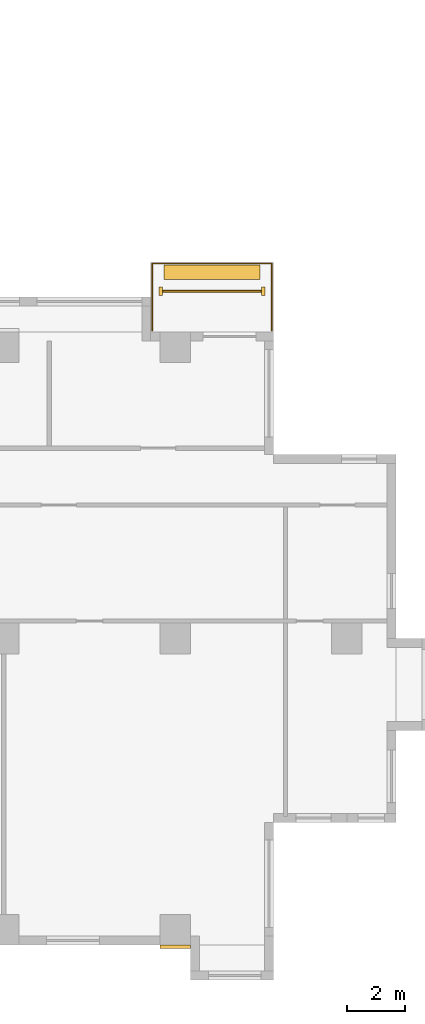
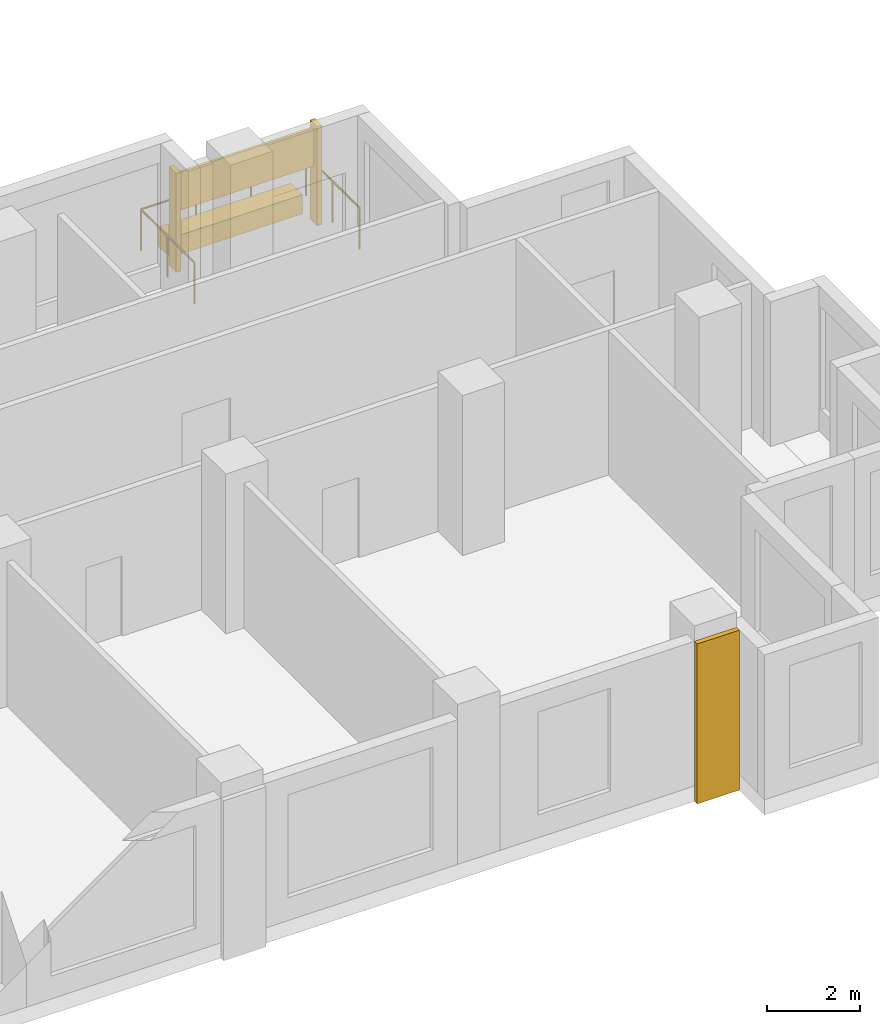
# One storey, part 14 of 14: 5 coverings, 1 railing.
"""IFC4 building model written with IfcOpenShell, lengths in metres."""

from ifc_helpers import new_model, si_unit, direction, frame, origin, origin_2d, place, context, subcontext, project, spatial, rectangle, circle, extrude, source, transform, mapped, material, type_object, element, save


model = new_model("IFC4")

# Units and contexts
model_context = context("Model", 3, precision=1e-05, world=origin(), true_north=direction((0.0, 1.0)))
body_context = subcontext(model_context, "Body", "Model", "MODEL_VIEW")
ifc_project = project(units=[si_unit("LENGTHUNIT", "METRE"), si_unit("AREAUNIT", "SQUARE_METRE"), si_unit("VOLUMEUNIT", "CUBIC_METRE"), si_unit("PLANEANGLEUNIT", "RADIAN"), si_unit("MASSUNIT", "GRAM", prefix="KILO")], contexts=[model_context])

# Site, building, storey
site_placement = place(None, origin())
site = spatial("IfcSite", under=ifc_project, at=site_placement, CompositionType="ELEMENT")
building_placement = place(site_placement, origin())
building = spatial("IfcBuilding", under=site, at=building_placement, Name="Aurelian Terraces", CompositionType="ELEMENT")
storey_placement = place(building_placement, frame((0.0, 0.0, 153.9)))
storey = spatial("IfcBuildingStorey", under=building, at=storey_placement, Name="L34", CompositionType="ELEMENT", Elevation=153.9)

# Coverings
ifc_material_1 = material(Name="Terracotta rainscreen cladding relief", Category="masonry")
covering_type_1 = type_object("IfcCoveringType", Name="FIN-TC", PredefinedType="CLADDING", material=ifc_material_1)
shared_shape_1 = source(origin(), body_context, "Body", "SweptSolid", [
    extrude(rectangle(XDim=0.12, YDim=0.3, at=origin_2d()), origin(), (0.0, 0.0, 1.0), 2.6),
])
for number, where, z_axis, x_axis, name in (
    (1, (66.85, 22.4, 0.0), (0.0, 0.0, 1.0), (1.0, 0.0, 0.0), "FIN L34 L34-F11-22.1"),
    (2, (63.35, 22.4, 0.0), (0.0, 0.0, 1.0), (1.0, 0.0, 0.0), "FIN L34 L34-F11-22.2"),
):
    element("IfcCovering", number, at=place(storey_placement, frame(where, z_axis=z_axis, x_axis=x_axis)), inside=storey, type_object=covering_type_1, Name=name, PredefinedType="CLADDING", context=body_context, shape_type="MappedRepresentation", body=[
        mapped(shared_shape_1, transform((0.0, 0.0, 0.0), scale=1.0)),
    ])

# Railing
ifc_material_2 = material(Name="Anodised aluminium", Category="aluminium")
railing_type = type_object("IfcRailingType", Name="GUARD-1100", PredefinedType="GUARDRAIL", material=ifc_material_2)
shared_shape_2 = source(origin(), body_context, "Body", "SweptSolid", [
    extrude(circle(Radius=0.024, at=origin_2d()), frame((0.0, 0.0, 1.076), z_axis=(0.0, 1.0, 0.0), x_axis=(-1.0, 0.0, 0.0)), (0.0, 0.0, 1.0), 2.3),
    extrude(circle(Radius=0.024, at=origin_2d()), frame((0.0, 2.3, 1.076), z_axis=(-1.0, 0.0, 0.0), x_axis=(0.0, -1.0, 0.0)), (0.0, 0.0, 1.0), 4.1),
    extrude(circle(Radius=0.024, at=origin_2d()), frame((-4.1, 2.3, 1.076), z_axis=(0.0, -1.0, 0.0), x_axis=(1.0, 0.0, 0.0)), (0.0, 0.0, 1.0), 2.3),
    extrude(circle(Radius=0.021, at=origin_2d()), origin(), (0.0, 0.0, 1.0), 1.052),
    extrude(circle(Radius=0.021, at=origin_2d()), frame((0.0, 1.15, 0.0)), (0.0, 0.0, 1.0), 1.052),
    extrude(circle(Radius=0.021, at=origin_2d()), frame((0.0, 2.3, 0.0)), (0.0, 0.0, 1.0), 1.052),
    extrude(circle(Radius=0.021, at=origin_2d()), frame((-1.3667, 2.3, 0.0)), (0.0, 0.0, 1.0), 1.052),
    extrude(circle(Radius=0.021, at=origin_2d()), frame((-2.7333, 2.3, 0.0)), (0.0, 0.0, 1.0), 1.052),
    extrude(circle(Radius=0.021, at=origin_2d()), frame((-4.1, 2.3, 0.0)), (0.0, 0.0, 1.0), 1.052),
    extrude(circle(Radius=0.021, at=origin_2d()), frame((-4.1, 1.15, 0.0)), (0.0, 0.0, 1.0), 1.052),
    extrude(circle(Radius=0.021, at=origin_2d()), frame((-4.1, 0.0, 0.0)), (0.0, 0.0, 1.0), 1.052),
])
railing_placement = place(storey_placement, frame((67.15, 21.05, 0.0)))
element("IfcRailing", 3, at=railing_placement, inside=storey, type_object=railing_type, Name="Balcony guard L34 F11.22", PredefinedType="GUARDRAIL", context=body_context, shape_type="MappedRepresentation", body=[
    mapped(shared_shape_2, transform((0.0, 0.0, 0.0), scale=1.0)),
])

# Coverings
ifc_material_3 = material(Name="Terracotta planter with planting soil", Category="masonry")
covering_type_2 = type_object("IfcCoveringType", Name="PLANTER-TROUGH", PredefinedType="USERDEFINED", material=ifc_material_3)
shared_shape_3 = source(origin(), body_context, "Body", "SweptSolid", [
    extrude(rectangle(XDim=3.3, YDim=0.5, at=origin_2d()), origin(), (0.0, 0.0, 1.0), 0.5),
])
covering_1_placement = place(storey_placement, frame((65.1, 23.05, 0.0), z_axis=(0.0, 0.0, 1.0), x_axis=(1.0, 0.0, 0.0)))
element("IfcCovering", 4, at=covering_1_placement, inside=storey, type_object=covering_type_2, Name="PLANTER L34 L34-F11-22", ObjectType="PLANTER", PredefinedType="USERDEFINED", context=body_context, shape_type="MappedRepresentation", body=[
    mapped(shared_shape_3, transform((0.0, 0.0, 0.0), scale=1.0)),
])
ifc_material_4 = material(Name="Terracotta rainscreen cladding", Category="masonry")
covering_type_3 = type_object("IfcCoveringType", Name="SCREEN-TC", PredefinedType="CLADDING", material=ifc_material_4)
shared_shape_4 = source(origin(), body_context, "Body", "SweptSolid", [
    extrude(rectangle(XDim=3.38, YDim=0.06, at=origin_2d()), origin(), (0.0, 0.0, 1.0), 1.0),
])
covering_2_placement = place(storey_placement, frame((65.1, 22.4, 1.5), z_axis=(0.0, 0.0, 1.0), x_axis=(1.0, 0.0, 0.0)))
element("IfcCovering", 5, at=covering_2_placement, inside=storey, type_object=covering_type_3, Name="SCREEN L34 L34-F11-22", PredefinedType="CLADDING", context=body_context, shape_type="MappedRepresentation", body=[
    mapped(shared_shape_4, transform((0.0, 0.0, 0.0), scale=1.0)),
])
covering_type_4 = type_object("IfcCoveringType", Name="BAGUETTE-TC", PredefinedType="CLADDING", material=ifc_material_1)
shared_shape_5 = source(origin(), body_context, "Body", "SweptSolid", [
    extrude(rectangle(XDim=1.05, YDim=0.12, at=origin_2d()), origin(), (0.0, 0.0, 1.0), 4.2),
])
covering_3_placement = place(storey_placement, frame((63.84, -0.06, -0.4), z_axis=(0.0, 0.0, 1.0), x_axis=(1.0, 0.0, 0.0)))
element("IfcCovering", 6, at=covering_3_placement, inside=storey, type_object=covering_type_4, Name="BAGUETTE pier L34 4", PredefinedType="CLADDING", context=body_context, shape_type="MappedRepresentation", body=[
    mapped(shared_shape_5, transform((0.0, 0.0, 0.0), scale=1.0)),
])

save(model, "model.ifc")
